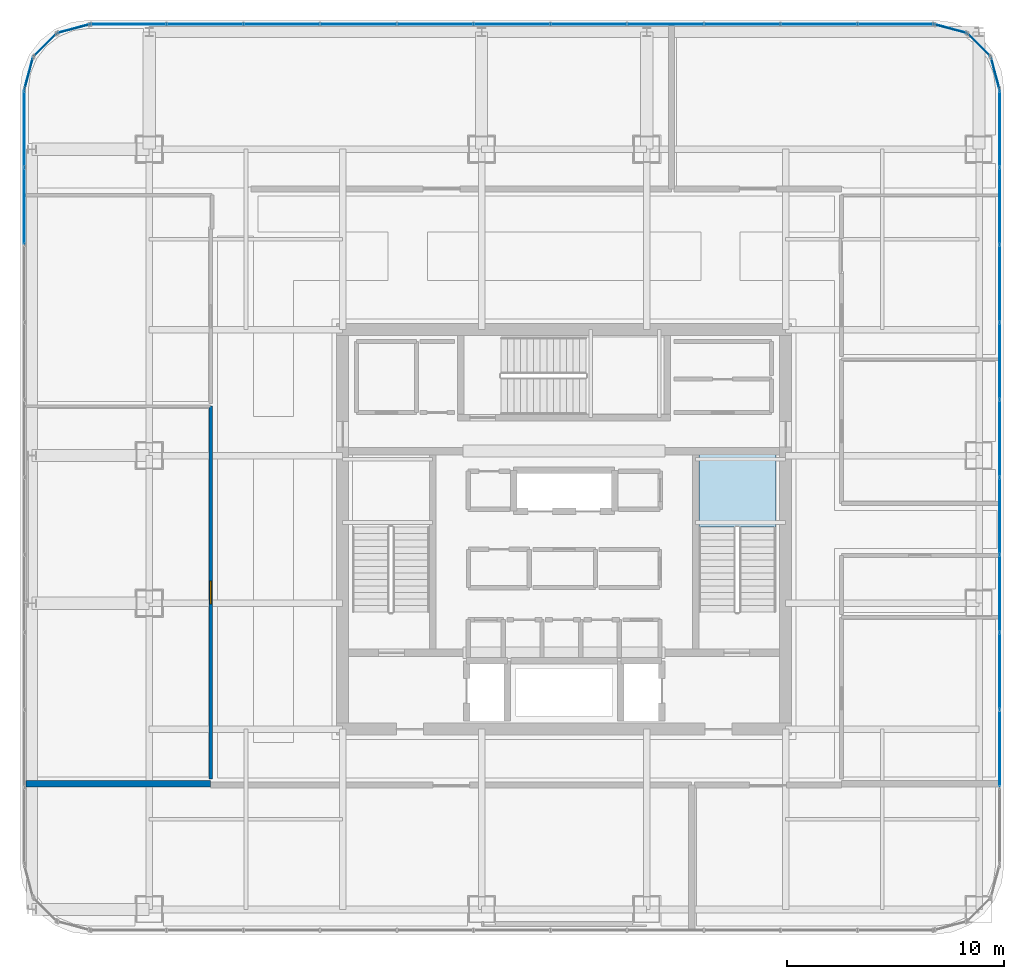
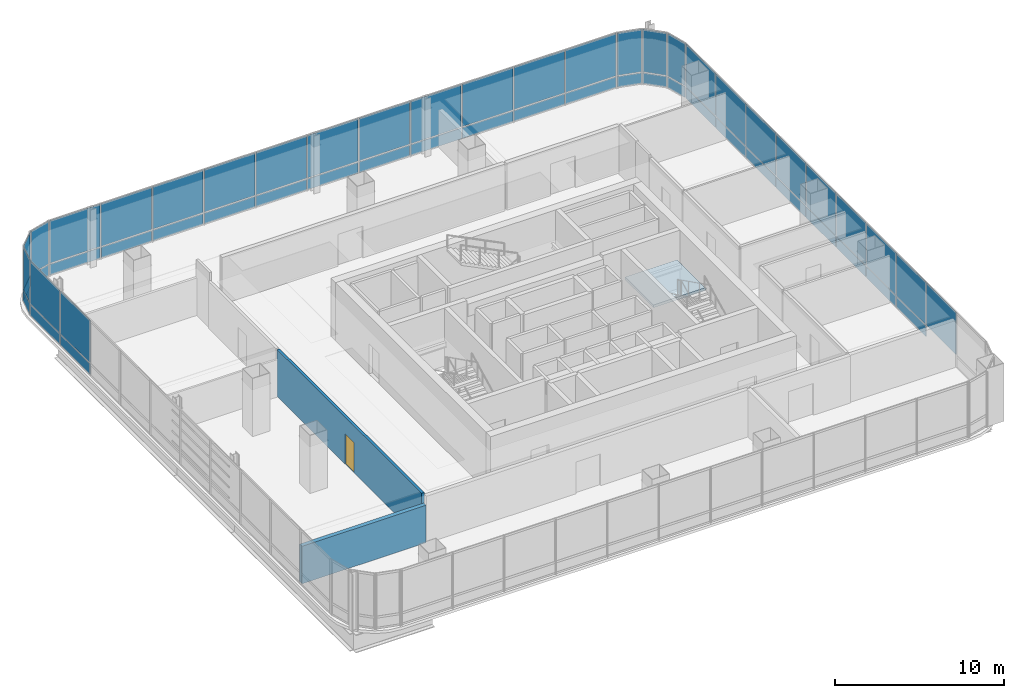
# One storey, part 33 of 42: 55 plates, 2 walls, 1 door, 1 slab, 1 opening, 10 elements without a shape of their own.
"""IFC4 building model written with IfcOpenShell, lengths in metres."""

import ifcopenshell
import ifcopenshell.guid

model = None  # the IFC model being written
_history = None  # IfcOwnerHistory: only IFC2X3 demands one
_inside = {}  # id of a spatial element -> (the spatial element, [elements in it])
_under = {}  # id of a project, library or spatial element -> (it, [spatial elements below it])
_declared = {}  # id of a project -> (the project, [libraries it declares])
_typed = {}  # id of a type object -> (the type object, [elements of that type])
_made_of = {}  # id of a material, layer set ... -> (it, [elements and type objects made of it])


def new_model(schema):
    """Start an empty IFC model of exactly this schema.

    Asked for "IFC4X3", IfcOpenShell would pick the latest addendum, in which some entities
    have other attributes; the version numbers below select the first issue.
    IFC2X3 requires an IfcOwnerHistory on every rooted entity: one is made here for all.
    """
    global model, _history
    if schema == "IFC4X3":
        model = ifcopenshell.file(schema_version=(4, 3, 0, 0))
    else:
        model = ifcopenshell.file(schema=schema)
    _inside.clear()
    _under.clear()
    _declared.clear()
    _typed.clear()
    _made_of.clear()
    _history = None
    if model.schema == "IFC2X3":
        org = make("IfcOrganization", Name="unknown")
        user = make(
            "IfcPersonAndOrganization",
            ThePerson=make("IfcPerson", FamilyName="unknown"),
            TheOrganization=org,
        )
        app = make(
            "IfcApplication",
            ApplicationDeveloper=org,
            Version="unknown",
            ApplicationFullName="unknown",
            ApplicationIdentifier="unknown",
        )
        _history = make(
            "IfcOwnerHistory",
            OwningUser=user,
            OwningApplication=app,
            ChangeAction="ADDED",
            CreationDate=0,
        )
    return model


def make(cls, **values):
    """One entity of the class cls with the attributes given. An attribute that is None is left unset."""
    return model.create_entity(
        cls, **{name: value for name, value in values.items() if value is not None}
    )


def rooted(cls, **values):
    """An entity with a GlobalId (a new one), such as an element, a storey or a relation."""
    return make(cls, GlobalId=ifcopenshell.guid.new(), OwnerHistory=_history, **values)


def si_unit(unit_type, name, prefix=None):
    """IfcSIUnit, for example si_unit("LENGTHUNIT", "METRE", prefix="MILLI")."""
    return make("IfcSIUnit", UnitType=unit_type, Prefix=prefix, Name=name)


def assignment(units):
    """IfcUnitAssignment: the units of a project."""
    return None if units is None else make("IfcUnitAssignment", Units=units)


def point(xyz):
    """IfcCartesianPoint."""
    return None if xyz is None else make("IfcCartesianPoint", Coordinates=xyz)


def direction(xyz):
    """IfcDirection."""
    return None if xyz is None else make("IfcDirection", DirectionRatios=xyz)


def frame(location, z_axis=None, x_axis=None):
    """IfcAxis2Placement3D, a coordinate frame: its origin and axes. An axis left out is left unset."""
    return make(
        "IfcAxis2Placement3D",
        Location=point(location),
        Axis=direction(z_axis),
        RefDirection=direction(x_axis),
    )


def frame_2d(location, x_axis=None):
    """IfcAxis2Placement2D, a coordinate frame in the plane: its origin and x axis."""
    return make(
        "IfcAxis2Placement2D", Location=point(location), RefDirection=direction(x_axis)
    )


def origin():
    """The frame at (0, 0, 0) with its axes left unset."""
    return frame((0.0, 0.0, 0.0))


def origin_2d():
    """The frame at (0, 0) in the plane with its x axis left unset."""
    return frame_2d((0.0, 0.0))


def place(relative_to, where):
    """IfcLocalPlacement: puts the frame where relative to a parent placement (None: the world)."""
    return make(
        "IfcLocalPlacement", PlacementRelTo=relative_to, RelativePlacement=where
    )


def context(
    kind, dimensions, precision=None, world=None, true_north=None, identifier=None
):
    """IfcGeometricRepresentationContext, for example the 3D "Model" context."""
    return make(
        "IfcGeometricRepresentationContext",
        ContextIdentifier=identifier,
        ContextType=kind,
        CoordinateSpaceDimension=dimensions,
        Precision=precision,
        WorldCoordinateSystem=world,
        TrueNorth=true_north,
    )


def subcontext(parent, identifier, kind, view, scale=None):
    """IfcGeometricRepresentationSubContext, for example "Body" below "Model"."""
    return make(
        "IfcGeometricRepresentationSubContext",
        ContextIdentifier=identifier,
        ContextType=kind,
        ParentContext=parent,
        TargetScale=scale,
        TargetView=view,
    )


def project(units=None, contexts=None):
    """IfcProject with its units and contexts."""
    return rooted(
        "IfcProject",
        Name="project",
        RepresentationContexts=contexts,
        UnitsInContext=assignment(units),
    )


def spatial(cls, under=None, at=None, **own):
    """A site, building, storey or space (cls), placed at a placement, below another one or the project."""
    s = rooted(cls, ObjectPlacement=at, **own)
    if under is not None:
        _under.setdefault(under.id(), (under, []))[1].append(s)
    return s


def polyline(points):
    """IfcPolyline through the points."""
    return make("IfcPolyline", Points=[point(p) for p in points])


def profile(cls, at=None, kind="AREA", **sizes):
    """A parametric profile (cls). Its sizes go by their IFC names, for example OverallWidth=200.0."""
    return make(cls, ProfileType=kind, Position=at, **sizes)


def rectangle(**sizes):
    """IfcRectangleProfileDef."""
    return profile("IfcRectangleProfileDef", **sizes)


def outline(outer, holes=None, kind="AREA"):
    """IfcArbitraryClosedProfileDef: a profile drawn as a closed curve; with holes, ...WithVoids."""
    if holes is None:
        return make("IfcArbitraryClosedProfileDef", ProfileType=kind, OuterCurve=outer)
    return make(
        "IfcArbitraryProfileDefWithVoids",
        ProfileType=kind,
        OuterCurve=outer,
        InnerCurves=holes,
    )


def extrude(swept, where, along, depth):
    """IfcExtrudedAreaSolid: the profile swept, set in the frame where, extruded along a direction by depth."""
    return make(
        "IfcExtrudedAreaSolid",
        SweptArea=swept,
        Position=where,
        ExtrudedDirection=direction(along),
        Depth=depth,
    )


def shape(context_of_items, identifier, shape_type, items):
    """IfcShapeRepresentation: the items that make up one representation, for example the "Body"."""
    return make(
        "IfcShapeRepresentation",
        ContextOfItems=context_of_items,
        RepresentationIdentifier=identifier,
        RepresentationType=shape_type,
        Items=items,
    )


def material(Name=None, Category=None):
    """IfcMaterial."""
    return make("IfcMaterial", Name=Name, Category=Category)


def layer(
    of_material, thickness, ventilated=None, Name=None, Category=None, Priority=None
):
    """IfcMaterialLayer: one layer of a wall or slab, of a material (None: an air gap)."""
    return make(
        "IfcMaterialLayer",
        Material=of_material,
        LayerThickness=thickness,
        IsVentilated=ventilated,
        Name=Name,
        Category=Category,
        Priority=Priority,
    )


def layer_set(layers, Name=None):
    """IfcMaterialLayerSet."""
    return make("IfcMaterialLayerSet", MaterialLayers=layers, LayerSetName=Name)


def made_of(thing, what):
    """Note that an element or type object is made of a material, layer set ...; save() writes the relation."""
    if what is not None:
        _made_of.setdefault(what.id(), (what, []))[1].append(thing)
    return thing


def type_object(cls, material=None, **own):
    """A type object (cls), such as IfcWallType, which elements share."""
    return made_of(rooted(cls, **own), material)


def element(
    cls,
    number,
    at=None,
    inside=None,
    cuts=None,
    type_object=None,
    material=None,
    context=None,
    identifier="Body",
    shape_type=None,
    held_by="IfcProductDefinitionShape",
    body=None,
    shapes=None,
    **own,
):
    """One element of the class cls, such as IfcWall. Its Tag is "e" and its number.

    at: its placement. inside: the storey or other place that contains it. cuts: it is an
    opening in that element (IfcRelVoidsElement). A single representation is given by context,
    identifier, shape_type and body (its items); several are given by shapes. held_by: the class
    of the entity that holds the representations. save() writes the other relations.
    """
    e = rooted(cls, Tag="e%d" % number, ObjectPlacement=at, **own)
    if body is not None:
        shapes = [shape(context, identifier, shape_type, body)]
    if shapes is not None:
        e.Representation = make(held_by, Representations=shapes)
    if inside is not None:
        _inside.setdefault(inside.id(), (inside, []))[1].append(e)
    if cuts is not None:
        rooted(
            "IfcRelVoidsElement", RelatingBuildingElement=cuts, RelatedOpeningElement=e
        )
    if type_object is not None:
        _typed.setdefault(type_object.id(), (type_object, []))[1].append(e)
    return made_of(e, material)


def fill(opening, filler):
    """IfcRelFillsElement: the door or window that sits in an opening."""
    return rooted(
        "IfcRelFillsElement",
        RelatingOpeningElement=opening,
        RelatedBuildingElement=filler,
    )


def aggregate(whole, parts):
    """IfcRelAggregates: a whole, such as a stair, and the parts it consists of."""
    return rooted("IfcRelAggregates", RelatingObject=whole, RelatedObjects=parts)


def save(model, path):
    """Write the relations noted so far, then the file.

    IfcRelAggregates (storeys below a building ...), IfcRelContainedInSpatialStructure (elements
    in a storey), IfcRelDefinesByType, IfcRelAssociatesMaterial and IfcRelDeclares: one each for
    every whole, place, type object, material and project.
    """
    for whole, parts in _under.values():
        aggregate(whole, parts)
    for where, things in _inside.values():
        rooted(
            "IfcRelContainedInSpatialStructure",
            RelatedElements=things,
            RelatingStructure=where,
        )
    for kind, things in _typed.values():
        rooted("IfcRelDefinesByType", RelatedObjects=things, RelatingType=kind)
    for what, things in _made_of.values():
        rooted("IfcRelAssociatesMaterial", RelatedObjects=things, RelatingMaterial=what)
    for by, libraries in _declared.values():
        rooted("IfcRelDeclares", RelatingContext=by, RelatedDefinitions=libraries)
    model.write(path)


model = new_model("IFC4")

# Units and contexts
model_context = context("Model", 3, precision=1e-05, world=origin(), true_north=direction((0.0, 1.0)))
body_context = subcontext(model_context, "Body", "Model", "MODEL_VIEW")
ifc_project = project(units=[si_unit("LENGTHUNIT", "METRE"), si_unit("AREAUNIT", "SQUARE_METRE"), si_unit("VOLUMEUNIT", "CUBIC_METRE"), si_unit("PLANEANGLEUNIT", "RADIAN"), si_unit("MASSUNIT", "GRAM", prefix="KILO")], contexts=[model_context])

# Site, building, storey
site_placement = place(None, origin())
site = spatial("IfcSite", under=ifc_project, at=site_placement, CompositionType="ELEMENT")
building_placement = place(site_placement, origin())
building = spatial("IfcBuilding", under=site, at=building_placement, Name="Punatoya Terracotta Tower", CompositionType="ELEMENT")
storey_placement = place(building_placement, frame((0.0, 0.0, 304.800048828125)))
storey = spatial("IfcBuildingStorey", under=building, at=storey_placement, Name="L72", CompositionType="ELEMENT", Elevation=304.800048828125)

# Curtain wall, plates
ifc_material_1 = material(Name="Aluminium 6063-T6 + Double Low-E Glass", Category="aluminium")
curtain_wall_type = type_object("IfcCurtainWallType", Name="CW-M3", PredefinedType="NOTDEFINED", material=ifc_material_1)
curtain_wall_1_placement = place(storey_placement, origin())
curtain_wall_1 = element("IfcCurtainWall", 1, at=curtain_wall_1_placement, inside=storey, type_object=curtain_wall_type, Name="L72 Curtain Wall CW-L72-E05-1", PredefinedType="NOTDEFINED")
ifc_material_2 = material(Name="Double Low-E Acoustic Vision Glass", Category="glass")
ifc_layer_1 = layer(ifc_material_2, 0.031982421875)
ifc_layer_set_1 = layer_set([ifc_layer_1], Name="Double Low-E Acoustic Vision Glass")
plate_type_1 = type_object("IfcPlateType", Name="PLT-GLZ-32", PredefinedType="CURTAIN_PANEL", material=ifc_layer_set_1)
plate_1_placement = place(storey_placement, frame((20.050048828125, -10.085693359375, 0.89013671875), z_axis=(0.0, 0.0, 1.0), x_axis=(0.0, 1.0, 0.0)))
plate_1 = element("IfcPlate", 2, at=plate_1_placement, type_object=plate_type_1, Name="CW-L72-E05-1 Vision Glass Panel 2", PredefinedType="CURTAIN_PANEL", context=body_context, shape_type="SweptSolid", body=[
    extrude(rectangle(XDim=3.482421875, YDim=0.031982421875, at=origin_2d()), origin(), (0.0, 0.0, 1.0), 3.070068359375),
])
plate_2_placement = place(storey_placement, frame((20.050048828125, -6.518310546875, 0.89013671875), z_axis=(0.0, 0.0, 1.0), x_axis=(0.0, 1.0, 0.0)))
plate_2 = element("IfcPlate", 3, at=plate_2_placement, type_object=plate_type_1, Name="CW-L72-E05-1 Vision Glass Panel 3", PredefinedType="CURTAIN_PANEL", context=body_context, shape_type="SweptSolid", body=[
    extrude(rectangle(XDim=3.482421875, YDim=0.031982421875, at=origin_2d()), origin(), (0.0, 0.0, 1.0), 3.070068359375),
])
plate_3_placement = place(storey_placement, frame((20.050048828125, -2.951171875, 0.89013671875), z_axis=(0.0, 0.0, 1.0), x_axis=(0.0, 1.0, 0.0)))
plate_3 = element("IfcPlate", 4, at=plate_3_placement, type_object=plate_type_1, Name="CW-L72-E05-1 Vision Glass Panel 4", PredefinedType="CURTAIN_PANEL", context=body_context, shape_type="SweptSolid", body=[
    extrude(rectangle(XDim=3.482421875, YDim=0.031982421875, at=origin_2d()), origin(), (0.0, 0.0, 1.0), 3.070068359375),
])
plate_4_placement = place(storey_placement, frame((20.050048828125, 0.6162109375, 0.89013671875), z_axis=(0.0, 0.0, 1.0), x_axis=(0.0, 1.0, 0.0)))
plate_4 = element("IfcPlate", 5, at=plate_4_placement, type_object=plate_type_1, Name="CW-L72-E05-1 Vision Glass Panel 5", PredefinedType="CURTAIN_PANEL", context=body_context, shape_type="SweptSolid", body=[
    extrude(rectangle(XDim=3.482421875, YDim=0.031982421875, at=origin_2d()), origin(), (0.0, 0.0, 1.0), 3.070068359375),
])
plate_5_placement = place(storey_placement, frame((20.050048828125, 4.18359375, 0.89013671875), z_axis=(0.0, 0.0, 1.0), x_axis=(0.0, 1.0, 0.0)))
plate_5 = element("IfcPlate", 6, at=plate_5_placement, type_object=plate_type_1, Name="CW-L72-E05-1 Vision Glass Panel 6", PredefinedType="CURTAIN_PANEL", context=body_context, shape_type="SweptSolid", body=[
    extrude(rectangle(XDim=3.482421875, YDim=0.031982421875, at=origin_2d()), origin(), (0.0, 0.0, 1.0), 3.070068359375),
])
plate_6_placement = place(storey_placement, frame((20.050048828125, 7.751220703125, 0.89013671875), z_axis=(0.0, 0.0, 1.0), x_axis=(0.0, 1.0, 0.0)))
plate_6 = element("IfcPlate", 7, at=plate_6_placement, type_object=plate_type_1, Name="CW-L72-E05-1 Vision Glass Panel 7", PredefinedType="CURTAIN_PANEL", context=body_context, shape_type="SweptSolid", body=[
    extrude(rectangle(XDim=3.482421875, YDim=0.031982421875, at=origin_2d()), origin(), (0.0, 0.0, 1.0), 3.070068359375),
])
plate_7_placement = place(storey_placement, frame((20.050048828125, 11.318359375, 0.89013671875), z_axis=(0.0, 0.0, 1.0), x_axis=(0.0, 1.0, 0.0)))
plate_7 = element("IfcPlate", 8, at=plate_7_placement, type_object=plate_type_1, Name="CW-L72-E05-1 Vision Glass Panel 8", PredefinedType="CURTAIN_PANEL", context=body_context, shape_type="SweptSolid", body=[
    extrude(rectangle(XDim=3.482421875, YDim=0.031982421875, at=origin_2d()), origin(), (0.0, 0.0, 1.0), 3.070068359375),
])
plate_8_placement = place(storey_placement, frame((20.050048828125, 14.8857421875, 0.89013671875), z_axis=(0.0, 0.0, 1.0), x_axis=(0.0, 1.0, 0.0)))
plate_8 = element("IfcPlate", 9, at=plate_8_placement, type_object=plate_type_1, Name="CW-L72-E05-1 Vision Glass Panel 9", PredefinedType="CURTAIN_PANEL", context=body_context, shape_type="SweptSolid", body=[
    extrude(rectangle(XDim=3.482421875, YDim=0.031982421875, at=origin_2d()), origin(), (0.0, 0.0, 1.0), 3.070068359375),
])
plate_9_placement = place(storey_placement, frame((20.050048828125, 18.453125, 0.89013671875), z_axis=(0.0, 0.0, 1.0), x_axis=(0.0, 1.0, 0.0)))
plate_9 = element("IfcPlate", 10, at=plate_9_placement, type_object=plate_type_1, Name="CW-L72-E05-1 Vision Glass Panel 10", PredefinedType="CURTAIN_PANEL", context=body_context, shape_type="SweptSolid", body=[
    extrude(rectangle(XDim=3.482421875, YDim=0.031982421875, at=origin_2d()), origin(), (0.0, 0.0, 1.0), 3.070068359375),
])

# Curtain wall, plate
curtain_wall_2_placement = place(storey_placement, origin())
curtain_wall_2 = element("IfcCurtainWall", 11, at=curtain_wall_2_placement, inside=storey, type_object=curtain_wall_type, Name="L72 Curtain Wall CW-L72-CRN06", PredefinedType="NOTDEFINED")
plate_10_placement = place(storey_placement, frame((19.848388671875, 20.992919921875, 0.89013671875), z_axis=(0.0, 0.0, 1.0), x_axis=(-0.257741620719, 0.966213877436, 0.0)))
plate_10 = element("IfcPlate", 12, at=plate_10_placement, type_object=plate_type_1, Name="CW-L72-CRN06 Vision Glass Panel 1", PredefinedType="CURTAIN_PANEL", context=body_context, shape_type="SweptSolid", body=[
    extrude(rectangle(XDim=1.47998046875, YDim=0.031982421875, at=origin_2d()), origin(), (0.0, 0.0, 1.0), 3.070068359375),
])

curtain_wall_3_placement = place(storey_placement, origin())
curtain_wall_3 = element("IfcCurtainWall", 13, at=curtain_wall_3_placement, inside=storey, type_object=curtain_wall_type, Name="L72 Curtain Wall CW-L72-CRN07", PredefinedType="NOTDEFINED")
plate_11_placement = place(storey_placement, frame((19.097900390625, 22.2978515625, 0.89013671875), z_axis=(0.0, 0.0, 1.0), x_axis=(-0.707106781187, 0.707106781187, 0.0)))
plate_11 = element("IfcPlate", 14, at=plate_11_placement, type_object=plate_type_1, Name="CW-L72-CRN07 Vision Glass Panel 1", PredefinedType="CURTAIN_PANEL", context=body_context, shape_type="SweptSolid", body=[
    extrude(rectangle(XDim=1.467041015625, YDim=0.031982421875, at=origin_2d()), origin(), (0.0, 0.0, 1.0), 3.070068359375),
])

curtain_wall_4_placement = place(storey_placement, origin())
curtain_wall_4 = element("IfcCurtainWall", 15, at=curtain_wall_4_placement, inside=storey, type_object=curtain_wall_type, Name="L72 Curtain Wall CW-L72-CRN08", PredefinedType="NOTDEFINED")
plate_12_placement = place(storey_placement, frame((17.79296875, 23.04833984375, 0.89013671875), z_axis=(0.0, 0.0, 1.0), x_axis=(-0.966213877436, 0.257741620719, 0.0)))
plate_12 = element("IfcPlate", 16, at=plate_12_placement, type_object=plate_type_1, Name="CW-L72-CRN08 Vision Glass Panel 1", PredefinedType="CURTAIN_PANEL", context=body_context, shape_type="SweptSolid", body=[
    extrude(rectangle(XDim=1.47998046875, YDim=0.031982421875, at=origin_2d()), origin(), (0.0, 0.0, 1.0), 3.070068359375),
])

# Curtain wall, plates
curtain_wall_5_placement = place(storey_placement, origin())
curtain_wall_5 = element("IfcCurtainWall", 17, at=curtain_wall_5_placement, inside=storey, type_object=curtain_wall_type, Name="L72 Curtain Wall CW-L72-N09-1", PredefinedType="NOTDEFINED")
plate_13_placement = place(storey_placement, frame((15.27001953125, 23.25, 0.89013671875), z_axis=(0.0, 0.0, 1.0), x_axis=(-1.0, 0.0, 0.0)))
plate_13 = element("IfcPlate", 18, at=plate_13_placement, type_object=plate_type_1, Name="CW-L72-N09-1 Vision Glass Panel 1", PredefinedType="CURTAIN_PANEL", context=body_context, shape_type="SweptSolid", body=[
    extrude(rectangle(XDim=3.448974609375, YDim=0.031982421875, at=origin_2d()), origin(), (0.0, 0.0, 1.0), 3.070068359375),
])
plate_14_placement = place(storey_placement, frame((11.73583984375, 23.25, 0.89013671875), z_axis=(0.0, 0.0, 1.0), x_axis=(-1.0, 0.0, 0.0)))
plate_14 = element("IfcPlate", 19, at=plate_14_placement, type_object=plate_type_1, Name="CW-L72-N09-1 Vision Glass Panel 2", PredefinedType="CURTAIN_PANEL", context=body_context, shape_type="SweptSolid", body=[
    extrude(rectangle(XDim=3.448974609375, YDim=0.031982421875, at=origin_2d()), origin(), (0.0, 0.0, 1.0), 3.070068359375),
])
plate_15_placement = place(storey_placement, frame((8.201904296875, 23.25, 0.89013671875), z_axis=(0.0, 0.0, 1.0), x_axis=(-1.0, 0.0, 0.0)))
plate_15 = element("IfcPlate", 20, at=plate_15_placement, type_object=plate_type_1, Name="CW-L72-N09-1 Vision Glass Panel 3", PredefinedType="CURTAIN_PANEL", context=body_context, shape_type="SweptSolid", body=[
    extrude(rectangle(XDim=3.448974609375, YDim=0.031982421875, at=origin_2d()), origin(), (0.0, 0.0, 1.0), 3.070068359375),
])
plate_16_placement = place(storey_placement, frame((4.66796875, 23.25, 0.89013671875), z_axis=(0.0, 0.0, 1.0), x_axis=(-1.0, 0.0, 0.0)))
plate_16 = element("IfcPlate", 21, at=plate_16_placement, type_object=plate_type_1, Name="CW-L72-N09-1 Vision Glass Panel 4", PredefinedType="CURTAIN_PANEL", context=body_context, shape_type="SweptSolid", body=[
    extrude(rectangle(XDim=3.448974609375, YDim=0.031982421875, at=origin_2d()), origin(), (0.0, 0.0, 1.0), 3.070068359375),
])
plate_17_placement = place(storey_placement, frame((1.134033203125, 23.25, 0.89013671875), z_axis=(0.0, 0.0, 1.0), x_axis=(-1.0, 0.0, 0.0)))
plate_17 = element("IfcPlate", 22, at=plate_17_placement, type_object=plate_type_1, Name="CW-L72-N09-1 Vision Glass Panel 5", PredefinedType="CURTAIN_PANEL", context=body_context, shape_type="SweptSolid", body=[
    extrude(rectangle(XDim=3.448974609375, YDim=0.031982421875, at=origin_2d()), origin(), (0.0, 0.0, 1.0), 3.070068359375),
])
plate_18_placement = place(storey_placement, frame((-2.39990234375, 23.25, 0.89013671875), z_axis=(0.0, 0.0, 1.0), x_axis=(-1.0, 0.0, 0.0)))
plate_18 = element("IfcPlate", 23, at=plate_18_placement, type_object=plate_type_1, Name="CW-L72-N09-1 Vision Glass Panel 6", PredefinedType="CURTAIN_PANEL", context=body_context, shape_type="SweptSolid", body=[
    extrude(rectangle(XDim=3.448974609375, YDim=0.031982421875, at=origin_2d()), origin(), (0.0, 0.0, 1.0), 3.070068359375),
])
plate_19_placement = place(storey_placement, frame((-5.93408203125, 23.25, 0.89013671875), z_axis=(0.0, 0.0, 1.0), x_axis=(-1.0, 0.0, 0.0)))
plate_19 = element("IfcPlate", 24, at=plate_19_placement, type_object=plate_type_1, Name="CW-L72-N09-1 Vision Glass Panel 7", PredefinedType="CURTAIN_PANEL", context=body_context, shape_type="SweptSolid", body=[
    extrude(rectangle(XDim=3.448974609375, YDim=0.031982421875, at=origin_2d()), origin(), (0.0, 0.0, 1.0), 3.070068359375),
])
plate_20_placement = place(storey_placement, frame((-9.468017578125, 23.25, 0.89013671875), z_axis=(0.0, 0.0, 1.0), x_axis=(-1.0, 0.0, 0.0)))
plate_20 = element("IfcPlate", 25, at=plate_20_placement, type_object=plate_type_1, Name="CW-L72-N09-1 Vision Glass Panel 8", PredefinedType="CURTAIN_PANEL", context=body_context, shape_type="SweptSolid", body=[
    extrude(rectangle(XDim=3.448974609375, YDim=0.031982421875, at=origin_2d()), origin(), (0.0, 0.0, 1.0), 3.070068359375),
])
plate_21_placement = place(storey_placement, frame((-13.001953125, 23.25, 0.89013671875), z_axis=(0.0, 0.0, 1.0), x_axis=(-1.0, 0.0, 0.0)))
plate_21 = element("IfcPlate", 26, at=plate_21_placement, type_object=plate_type_1, Name="CW-L72-N09-1 Vision Glass Panel 9", PredefinedType="CURTAIN_PANEL", context=body_context, shape_type="SweptSolid", body=[
    extrude(rectangle(XDim=3.448974609375, YDim=0.031982421875, at=origin_2d()), origin(), (0.0, 0.0, 1.0), 3.070068359375),
])
plate_22_placement = place(storey_placement, frame((-16.535888671875, 23.25, 0.89013671875), z_axis=(0.0, 0.0, 1.0), x_axis=(-1.0, 0.0, 0.0)))
plate_22 = element("IfcPlate", 27, at=plate_22_placement, type_object=plate_type_1, Name="CW-L72-N09-1 Vision Glass Panel 10", PredefinedType="CURTAIN_PANEL", context=body_context, shape_type="SweptSolid", body=[
    extrude(rectangle(XDim=3.448974609375, YDim=0.031982421875, at=origin_2d()), origin(), (0.0, 0.0, 1.0), 3.070068359375),
])
plate_23_placement = place(storey_placement, frame((-20.06982421875, 23.25, 0.89013671875), z_axis=(0.0, 0.0, 1.0), x_axis=(-1.0, 0.0, 0.0)))
plate_23 = element("IfcPlate", 28, at=plate_23_placement, type_object=plate_type_1, Name="CW-L72-N09-1 Vision Glass Panel 11", PredefinedType="CURTAIN_PANEL", context=body_context, shape_type="SweptSolid", body=[
    extrude(rectangle(XDim=3.448974609375, YDim=0.031982421875, at=origin_2d()), origin(), (0.0, 0.0, 1.0), 3.070068359375),
])

# Curtain wall, plate
curtain_wall_6_placement = place(storey_placement, origin())
curtain_wall_6 = element("IfcCurtainWall", 29, at=curtain_wall_6_placement, inside=storey, type_object=curtain_wall_type, Name="L72 Curtain Wall CW-L72-CRN10", PredefinedType="NOTDEFINED")
plate_24_placement = place(storey_placement, frame((-22.593017578125, 23.04833984375, 0.89013671875), z_axis=(0.0, 0.0, 1.0), x_axis=(-0.966213877436, -0.257741620719, 0.0)))
plate_24 = element("IfcPlate", 30, at=plate_24_placement, type_object=plate_type_1, Name="CW-L72-CRN10 Vision Glass Panel 1", PredefinedType="CURTAIN_PANEL", context=body_context, shape_type="SweptSolid", body=[
    extrude(rectangle(XDim=1.47998046875, YDim=0.031982421875, at=origin_2d()), origin(), (0.0, 0.0, 1.0), 3.070068359375),
])

curtain_wall_7_placement = place(storey_placement, origin())
curtain_wall_7 = element("IfcCurtainWall", 31, at=curtain_wall_7_placement, inside=storey, type_object=curtain_wall_type, Name="L72 Curtain Wall CW-L72-CRN11", PredefinedType="NOTDEFINED")
plate_25_placement = place(storey_placement, frame((-23.89794921875, 22.2978515625, 0.89013671875), z_axis=(0.0, 0.0, 1.0), x_axis=(-0.707106781187, -0.707106781187, 0.0)))
plate_25 = element("IfcPlate", 32, at=plate_25_placement, type_object=plate_type_1, Name="CW-L72-CRN11 Vision Glass Panel 1", PredefinedType="CURTAIN_PANEL", context=body_context, shape_type="SweptSolid", body=[
    extrude(rectangle(XDim=1.467041015625, YDim=0.031982421875, at=origin_2d()), origin(), (0.0, 0.0, 1.0), 3.070068359375),
])

curtain_wall_8_placement = place(storey_placement, origin())
curtain_wall_8 = element("IfcCurtainWall", 33, at=curtain_wall_8_placement, inside=storey, type_object=curtain_wall_type, Name="L72 Curtain Wall CW-L72-CRN12", PredefinedType="NOTDEFINED")
plate_26_placement = place(storey_placement, frame((-24.648193359375, 20.992919921875, 0.89013671875), z_axis=(0.0, 0.0, 1.0), x_axis=(-0.257741620719, -0.966213877436, 0.0)))
plate_26 = element("IfcPlate", 34, at=plate_26_placement, type_object=plate_type_1, Name="CW-L72-CRN12 Vision Glass Panel 1", PredefinedType="CURTAIN_PANEL", context=body_context, shape_type="SweptSolid", body=[
    extrude(rectangle(XDim=1.47998046875, YDim=0.031982421875, at=origin_2d()), origin(), (0.0, 0.0, 1.0), 3.070068359375),
])

# Curtain wall, plates
curtain_wall_9_placement = place(storey_placement, origin())
curtain_wall_9 = element("IfcCurtainWall", 35, at=curtain_wall_9_placement, inside=storey, type_object=curtain_wall_type, Name="L72 Curtain Wall CW-L72-W13-1", PredefinedType="NOTDEFINED")
plate_27_placement = place(storey_placement, frame((-24.85009765625, 18.453125, 0.89013671875), z_axis=(0.0, 0.0, 1.0), x_axis=(0.0, -1.0, 0.0)))
plate_27 = element("IfcPlate", 36, at=plate_27_placement, type_object=plate_type_1, Name="CW-L72-W13-1 Vision Glass Panel 1", PredefinedType="CURTAIN_PANEL", context=body_context, shape_type="SweptSolid", body=[
    extrude(rectangle(XDim=3.482421875, YDim=0.031982421875, at=origin_2d()), origin(), (0.0, 0.0, 1.0), 3.070068359375),
])
plate_28_placement = place(storey_placement, frame((-24.85009765625, 14.8857421875, 0.89013671875), z_axis=(0.0, 0.0, 1.0), x_axis=(0.0, -1.0, 0.0)))
plate_28 = element("IfcPlate", 37, at=plate_28_placement, type_object=plate_type_1, Name="CW-L72-W13-1 Vision Glass Panel 2", PredefinedType="CURTAIN_PANEL", context=body_context, shape_type="SweptSolid", body=[
    extrude(rectangle(XDim=3.482421875, YDim=0.031982421875, at=origin_2d()), origin(), (0.0, 0.0, 1.0), 3.070068359375),
])

# Plate
ifc_material_3 = material(Name="Insulated Terracotta-Backed Spandrel Panel", Category="masonry")
ifc_layer_2 = layer(ifc_material_3, 0.044921875)
ifc_layer_set_2 = layer_set([ifc_layer_2], Name="Insulated Terracotta-Backed Spandrel Panel")
plate_type_2 = type_object("IfcPlateType", Name="PLT-SPN-45", PredefinedType="CURTAIN_PANEL", material=ifc_layer_set_2)
plate_29_placement = place(storey_placement, frame((20.050048828125, -6.518310546875, 0.0400390625), z_axis=(0.0, 0.0, 1.0), x_axis=(0.0, 1.0, 0.0)))
plate_29 = element("IfcPlate", 38, at=plate_29_placement, type_object=plate_type_2, Name="CW-L72-E05-1 Terracotta Spandrel Panel 3", PredefinedType="CURTAIN_PANEL", context=body_context, shape_type="SweptSolid", body=[
    extrude(rectangle(XDim=3.482421875, YDim=0.044921875, at=origin_2d()), origin(), (0.0, 0.0, 1.0), 0.77490234375),
])

plate_30_placement = place(storey_placement, frame((20.050048828125, -2.951171875, 0.0400390625), z_axis=(0.0, 0.0, 1.0), x_axis=(0.0, 1.0, 0.0)))
plate_30 = element("IfcPlate", 39, at=plate_30_placement, type_object=plate_type_2, Name="CW-L72-E05-1 Terracotta Spandrel Panel 4", PredefinedType="CURTAIN_PANEL", context=body_context, shape_type="SweptSolid", body=[
    extrude(rectangle(XDim=3.482421875, YDim=0.044921875, at=origin_2d()), origin(), (0.0, 0.0, 1.0), 0.77490234375),
])

plate_31_placement = place(storey_placement, frame((20.050048828125, 0.6162109375, 0.0400390625), z_axis=(0.0, 0.0, 1.0), x_axis=(0.0, 1.0, 0.0)))
plate_31 = element("IfcPlate", 40, at=plate_31_placement, type_object=plate_type_2, Name="CW-L72-E05-1 Terracotta Spandrel Panel 5", PredefinedType="CURTAIN_PANEL", context=body_context, shape_type="SweptSolid", body=[
    extrude(rectangle(XDim=3.482421875, YDim=0.044921875, at=origin_2d()), origin(), (0.0, 0.0, 1.0), 0.77490234375),
])

plate_32_placement = place(storey_placement, frame((20.050048828125, 4.18359375, 0.0400390625), z_axis=(0.0, 0.0, 1.0), x_axis=(0.0, 1.0, 0.0)))
plate_32 = element("IfcPlate", 41, at=plate_32_placement, type_object=plate_type_2, Name="CW-L72-E05-1 Terracotta Spandrel Panel 6", PredefinedType="CURTAIN_PANEL", context=body_context, shape_type="SweptSolid", body=[
    extrude(rectangle(XDim=3.482421875, YDim=0.044921875, at=origin_2d()), origin(), (0.0, 0.0, 1.0), 0.77490234375),
])

plate_33_placement = place(storey_placement, frame((20.050048828125, 7.751220703125, 0.0400390625), z_axis=(0.0, 0.0, 1.0), x_axis=(0.0, 1.0, 0.0)))
plate_33 = element("IfcPlate", 42, at=plate_33_placement, type_object=plate_type_2, Name="CW-L72-E05-1 Terracotta Spandrel Panel 7", PredefinedType="CURTAIN_PANEL", context=body_context, shape_type="SweptSolid", body=[
    extrude(rectangle(XDim=3.482421875, YDim=0.044921875, at=origin_2d()), origin(), (0.0, 0.0, 1.0), 0.77490234375),
])

plate_34_placement = place(storey_placement, frame((20.050048828125, 11.318359375, 0.0400390625), z_axis=(0.0, 0.0, 1.0), x_axis=(0.0, 1.0, 0.0)))
plate_34 = element("IfcPlate", 43, at=plate_34_placement, type_object=plate_type_2, Name="CW-L72-E05-1 Terracotta Spandrel Panel 8", PredefinedType="CURTAIN_PANEL", context=body_context, shape_type="SweptSolid", body=[
    extrude(rectangle(XDim=3.482421875, YDim=0.044921875, at=origin_2d()), origin(), (0.0, 0.0, 1.0), 0.77490234375),
])

plate_35_placement = place(storey_placement, frame((20.050048828125, 14.8857421875, 0.0400390625), z_axis=(0.0, 0.0, 1.0), x_axis=(0.0, 1.0, 0.0)))
plate_35 = element("IfcPlate", 44, at=plate_35_placement, type_object=plate_type_2, Name="CW-L72-E05-1 Terracotta Spandrel Panel 9", PredefinedType="CURTAIN_PANEL", context=body_context, shape_type="SweptSolid", body=[
    extrude(rectangle(XDim=3.482421875, YDim=0.044921875, at=origin_2d()), origin(), (0.0, 0.0, 1.0), 0.77490234375),
])

plate_36_placement = place(storey_placement, frame((20.050048828125, 18.453125, 0.0400390625), z_axis=(0.0, 0.0, 1.0), x_axis=(0.0, 1.0, 0.0)))
plate_36 = element("IfcPlate", 45, at=plate_36_placement, type_object=plate_type_2, Name="CW-L72-E05-1 Terracotta Spandrel Panel 10", PredefinedType="CURTAIN_PANEL", context=body_context, shape_type="SweptSolid", body=[
    extrude(rectangle(XDim=3.482421875, YDim=0.044921875, at=origin_2d()), origin(), (0.0, 0.0, 1.0), 0.77490234375),
])

aggregate(curtain_wall_1, [plate_1, plate_29, plate_2, plate_30, plate_3, plate_31, plate_4, plate_32, plate_5, plate_33, plate_6, plate_34, plate_7, plate_35, plate_8, plate_36, plate_9])

plate_37_placement = place(storey_placement, frame((19.848388671875, 20.992919921875, 0.0400390625), z_axis=(0.0, 0.0, 1.0), x_axis=(-0.257741620719, 0.966213877436, 0.0)))
plate_37 = element("IfcPlate", 46, at=plate_37_placement, type_object=plate_type_2, Name="CW-L72-CRN06 Terracotta Spandrel Panel 1", PredefinedType="CURTAIN_PANEL", context=body_context, shape_type="SweptSolid", body=[
    extrude(rectangle(XDim=1.47998046875, YDim=0.044921875, at=origin_2d()), origin(), (0.0, 0.0, 1.0), 0.77490234375),
])

aggregate(curtain_wall_2, [plate_37, plate_10])

plate_38_placement = place(storey_placement, frame((19.097900390625, 22.2978515625, 0.0400390625), z_axis=(0.0, 0.0, 1.0), x_axis=(-0.707106781187, 0.707106781187, 0.0)))
plate_38 = element("IfcPlate", 47, at=plate_38_placement, type_object=plate_type_2, Name="CW-L72-CRN07 Terracotta Spandrel Panel 1", PredefinedType="CURTAIN_PANEL", context=body_context, shape_type="SweptSolid", body=[
    extrude(rectangle(XDim=1.467041015625, YDim=0.044921875, at=origin_2d()), origin(), (0.0, 0.0, 1.0), 0.77490234375),
])

aggregate(curtain_wall_3, [plate_38, plate_11])

plate_39_placement = place(storey_placement, frame((17.79296875, 23.04833984375, 0.0400390625), z_axis=(0.0, 0.0, 1.0), x_axis=(-0.966213877436, 0.257741620719, 0.0)))
plate_39 = element("IfcPlate", 48, at=plate_39_placement, type_object=plate_type_2, Name="CW-L72-CRN08 Terracotta Spandrel Panel 1", PredefinedType="CURTAIN_PANEL", context=body_context, shape_type="SweptSolid", body=[
    extrude(rectangle(XDim=1.47998046875, YDim=0.044921875, at=origin_2d()), origin(), (0.0, 0.0, 1.0), 0.77490234375),
])

aggregate(curtain_wall_4, [plate_39, plate_12])

plate_40_placement = place(storey_placement, frame((15.27001953125, 23.25, 0.0400390625), z_axis=(0.0, 0.0, 1.0), x_axis=(-1.0, 0.0, 0.0)))
plate_40 = element("IfcPlate", 49, at=plate_40_placement, type_object=plate_type_2, Name="CW-L72-N09-1 Terracotta Spandrel Panel 1", PredefinedType="CURTAIN_PANEL", context=body_context, shape_type="SweptSolid", body=[
    extrude(rectangle(XDim=3.448974609375, YDim=0.044921875, at=origin_2d()), origin(), (0.0, 0.0, 1.0), 0.77490234375),
])

plate_41_placement = place(storey_placement, frame((11.73583984375, 23.25, 0.0400390625), z_axis=(0.0, 0.0, 1.0), x_axis=(-1.0, 0.0, 0.0)))
plate_41 = element("IfcPlate", 50, at=plate_41_placement, type_object=plate_type_2, Name="CW-L72-N09-1 Terracotta Spandrel Panel 2", PredefinedType="CURTAIN_PANEL", context=body_context, shape_type="SweptSolid", body=[
    extrude(rectangle(XDim=3.448974609375, YDim=0.044921875, at=origin_2d()), origin(), (0.0, 0.0, 1.0), 0.77490234375),
])

plate_42_placement = place(storey_placement, frame((8.201904296875, 23.25, 0.0400390625), z_axis=(0.0, 0.0, 1.0), x_axis=(-1.0, 0.0, 0.0)))
plate_42 = element("IfcPlate", 51, at=plate_42_placement, type_object=plate_type_2, Name="CW-L72-N09-1 Terracotta Spandrel Panel 3", PredefinedType="CURTAIN_PANEL", context=body_context, shape_type="SweptSolid", body=[
    extrude(rectangle(XDim=3.448974609375, YDim=0.044921875, at=origin_2d()), origin(), (0.0, 0.0, 1.0), 0.77490234375),
])

plate_43_placement = place(storey_placement, frame((4.66796875, 23.25, 0.0400390625), z_axis=(0.0, 0.0, 1.0), x_axis=(-1.0, 0.0, 0.0)))
plate_43 = element("IfcPlate", 52, at=plate_43_placement, type_object=plate_type_2, Name="CW-L72-N09-1 Terracotta Spandrel Panel 4", PredefinedType="CURTAIN_PANEL", context=body_context, shape_type="SweptSolid", body=[
    extrude(rectangle(XDim=3.448974609375, YDim=0.044921875, at=origin_2d()), origin(), (0.0, 0.0, 1.0), 0.77490234375),
])

plate_44_placement = place(storey_placement, frame((1.134033203125, 23.25, 0.0400390625), z_axis=(0.0, 0.0, 1.0), x_axis=(-1.0, 0.0, 0.0)))
plate_44 = element("IfcPlate", 53, at=plate_44_placement, type_object=plate_type_2, Name="CW-L72-N09-1 Terracotta Spandrel Panel 5", PredefinedType="CURTAIN_PANEL", context=body_context, shape_type="SweptSolid", body=[
    extrude(rectangle(XDim=3.448974609375, YDim=0.044921875, at=origin_2d()), origin(), (0.0, 0.0, 1.0), 0.77490234375),
])

plate_45_placement = place(storey_placement, frame((-2.39990234375, 23.25, 0.0400390625), z_axis=(0.0, 0.0, 1.0), x_axis=(-1.0, 0.0, 0.0)))
plate_45 = element("IfcPlate", 54, at=plate_45_placement, type_object=plate_type_2, Name="CW-L72-N09-1 Terracotta Spandrel Panel 6", PredefinedType="CURTAIN_PANEL", context=body_context, shape_type="SweptSolid", body=[
    extrude(rectangle(XDim=3.448974609375, YDim=0.044921875, at=origin_2d()), origin(), (0.0, 0.0, 1.0), 0.77490234375),
])

plate_46_placement = place(storey_placement, frame((-5.93408203125, 23.25, 0.0400390625), z_axis=(0.0, 0.0, 1.0), x_axis=(-1.0, 0.0, 0.0)))
plate_46 = element("IfcPlate", 55, at=plate_46_placement, type_object=plate_type_2, Name="CW-L72-N09-1 Terracotta Spandrel Panel 7", PredefinedType="CURTAIN_PANEL", context=body_context, shape_type="SweptSolid", body=[
    extrude(rectangle(XDim=3.448974609375, YDim=0.044921875, at=origin_2d()), origin(), (0.0, 0.0, 1.0), 0.77490234375),
])

plate_47_placement = place(storey_placement, frame((-9.468017578125, 23.25, 0.0400390625), z_axis=(0.0, 0.0, 1.0), x_axis=(-1.0, 0.0, 0.0)))
plate_47 = element("IfcPlate", 56, at=plate_47_placement, type_object=plate_type_2, Name="CW-L72-N09-1 Terracotta Spandrel Panel 8", PredefinedType="CURTAIN_PANEL", context=body_context, shape_type="SweptSolid", body=[
    extrude(rectangle(XDim=3.448974609375, YDim=0.044921875, at=origin_2d()), origin(), (0.0, 0.0, 1.0), 0.77490234375),
])

plate_48_placement = place(storey_placement, frame((-13.001953125, 23.25, 0.0400390625), z_axis=(0.0, 0.0, 1.0), x_axis=(-1.0, 0.0, 0.0)))
plate_48 = element("IfcPlate", 57, at=plate_48_placement, type_object=plate_type_2, Name="CW-L72-N09-1 Terracotta Spandrel Panel 9", PredefinedType="CURTAIN_PANEL", context=body_context, shape_type="SweptSolid", body=[
    extrude(rectangle(XDim=3.448974609375, YDim=0.044921875, at=origin_2d()), origin(), (0.0, 0.0, 1.0), 0.77490234375),
])

plate_49_placement = place(storey_placement, frame((-16.535888671875, 23.25, 0.0400390625), z_axis=(0.0, 0.0, 1.0), x_axis=(-1.0, 0.0, 0.0)))
plate_49 = element("IfcPlate", 58, at=plate_49_placement, type_object=plate_type_2, Name="CW-L72-N09-1 Terracotta Spandrel Panel 10", PredefinedType="CURTAIN_PANEL", context=body_context, shape_type="SweptSolid", body=[
    extrude(rectangle(XDim=3.448974609375, YDim=0.044921875, at=origin_2d()), origin(), (0.0, 0.0, 1.0), 0.77490234375),
])

plate_50_placement = place(storey_placement, frame((-20.06982421875, 23.25, 0.0400390625), z_axis=(0.0, 0.0, 1.0), x_axis=(-1.0, 0.0, 0.0)))
plate_50 = element("IfcPlate", 59, at=plate_50_placement, type_object=plate_type_2, Name="CW-L72-N09-1 Terracotta Spandrel Panel 11", PredefinedType="CURTAIN_PANEL", context=body_context, shape_type="SweptSolid", body=[
    extrude(rectangle(XDim=3.448974609375, YDim=0.044921875, at=origin_2d()), origin(), (0.0, 0.0, 1.0), 0.77490234375),
])

aggregate(curtain_wall_5, [plate_40, plate_13, plate_41, plate_14, plate_42, plate_15, plate_43, plate_16, plate_44, plate_17, plate_45, plate_18, plate_46, plate_19, plate_47, plate_20, plate_48, plate_21, plate_49, plate_22, plate_50, plate_23])

plate_51_placement = place(storey_placement, frame((-22.593017578125, 23.04833984375, 0.0400390625), z_axis=(0.0, 0.0, 1.0), x_axis=(-0.966213877436, -0.257741620719, 0.0)))
plate_51 = element("IfcPlate", 60, at=plate_51_placement, type_object=plate_type_2, Name="CW-L72-CRN10 Terracotta Spandrel Panel 1", PredefinedType="CURTAIN_PANEL", context=body_context, shape_type="SweptSolid", body=[
    extrude(rectangle(XDim=1.47998046875, YDim=0.044921875, at=origin_2d()), origin(), (0.0, 0.0, 1.0), 0.77490234375),
])

aggregate(curtain_wall_6, [plate_51, plate_24])

plate_52_placement = place(storey_placement, frame((-23.89794921875, 22.2978515625, 0.0400390625), z_axis=(0.0, 0.0, 1.0), x_axis=(-0.707106781187, -0.707106781187, 0.0)))
plate_52 = element("IfcPlate", 61, at=plate_52_placement, type_object=plate_type_2, Name="CW-L72-CRN11 Terracotta Spandrel Panel 1", PredefinedType="CURTAIN_PANEL", context=body_context, shape_type="SweptSolid", body=[
    extrude(rectangle(XDim=1.467041015625, YDim=0.044921875, at=origin_2d()), origin(), (0.0, 0.0, 1.0), 0.77490234375),
])

aggregate(curtain_wall_7, [plate_52, plate_25])

plate_53_placement = place(storey_placement, frame((-24.648193359375, 20.992919921875, 0.0400390625), z_axis=(0.0, 0.0, 1.0), x_axis=(-0.257741620719, -0.966213877436, 0.0)))
plate_53 = element("IfcPlate", 62, at=plate_53_placement, type_object=plate_type_2, Name="CW-L72-CRN12 Terracotta Spandrel Panel 1", PredefinedType="CURTAIN_PANEL", context=body_context, shape_type="SweptSolid", body=[
    extrude(rectangle(XDim=1.47998046875, YDim=0.044921875, at=origin_2d()), origin(), (0.0, 0.0, 1.0), 0.77490234375),
])

aggregate(curtain_wall_8, [plate_53, plate_26])

plate_54_placement = place(storey_placement, frame((-24.85009765625, 18.453125, 0.0400390625), z_axis=(0.0, 0.0, 1.0), x_axis=(0.0, -1.0, 0.0)))
plate_54 = element("IfcPlate", 63, at=plate_54_placement, type_object=plate_type_2, Name="CW-L72-W13-1 Terracotta Spandrel Panel 1", PredefinedType="CURTAIN_PANEL", context=body_context, shape_type="SweptSolid", body=[
    extrude(rectangle(XDim=3.482421875, YDim=0.044921875, at=origin_2d()), origin(), (0.0, 0.0, 1.0), 0.77490234375),
])

plate_55_placement = place(storey_placement, frame((-24.85009765625, 14.8857421875, 0.0400390625), z_axis=(0.0, 0.0, 1.0), x_axis=(0.0, -1.0, 0.0)))
plate_55 = element("IfcPlate", 64, at=plate_55_placement, type_object=plate_type_2, Name="CW-L72-W13-1 Terracotta Spandrel Panel 2", PredefinedType="CURTAIN_PANEL", context=body_context, shape_type="SweptSolid", body=[
    extrude(rectangle(XDim=3.482421875, YDim=0.044921875, at=origin_2d()), origin(), (0.0, 0.0, 1.0), 0.77490234375),
])

aggregate(curtain_wall_9, [plate_54, plate_27, plate_55, plate_28])

# Stair, slab
ifc_material_4 = material(Name="Concrete C40/50", Category="concrete")
stair_type = type_object("IfcStairType", Name="STR-LOB-1650", PredefinedType="HALF_TURN_STAIR", material=ifc_material_4)
stair_placement = place(storey_placement, origin())
stair = element("IfcStair", 65, at=stair_placement, inside=storey, type_object=stair_type, Name="L72 Protected Core Exit Stair ST-2", PredefinedType="HALF_TURN_STAIR")
ifc_layer_3 = layer(ifc_material_4, 0.179931640625)
ifc_layer_set_3 = layer_set([ifc_layer_3], Name="Concrete C40/50")
slab_type = type_object("IfcSlabType", Name="SLB-LND-180", PredefinedType="LANDING", material=ifc_layer_set_3)
slab_placement = place(storey_placement, frame((0.0, 0.0, 1.89990234375)))
slab = element("IfcSlab", 66, at=slab_placement, type_object=slab_type, Name="ST-2 landing 1", PredefinedType="LANDING", context=body_context, shape_type="SweptSolid", body=[
    extrude(outline(polyline([(9.75, 0.10009765625), (9.75, 3.449951171875), (6.199951171875, 3.449951171875), (6.199951171875, 0.10009765625), (9.75, 0.10009765625)])), origin(), (0.0, 0.0, 1.0), 0.199951171875),
])
aggregate(stair, [slab])

# Wall
ifc_layer_4 = layer(ifc_material_4, 0.280029296875)
ifc_layer_set_4 = layer_set([ifc_layer_4], Name="Concrete C40/50")
wall_type_1 = type_object("IfcWallType", Name="WL-AUD-280", PredefinedType="SOLIDWALL", material=ifc_layer_set_4)
wall_1_placement = place(storey_placement, frame((-24.77001953125, -11.7099609375, 0.0), z_axis=(0.0, 0.0, 1.0), x_axis=(1.0, 0.0, 0.0)))
element("IfcWall", 67, at=wall_1_placement, inside=storey, type_object=wall_type_1, Name="L72 Client Dining Salon Partition 39", PredefinedType="SOLIDWALL", context=body_context, shape_type="SweptSolid", body=[
    extrude(rectangle(XDim=8.5, YDim=0.280029296875, at=frame_2d((4.25, 0.0))), origin(), (0.0, 0.0, 1.0), 2.7138671875),
])

# Wall, opening, door
ifc_material_5 = material(Name="Gypsum Fireboard + Steel Stud", Category="steel")
ifc_layer_5 = layer(ifc_material_5, 0.179931640625)
ifc_layer_set_5 = layer_set([ifc_layer_5], Name="Gypsum Fireboard + Steel Stud")
wall_type_2 = type_object("IfcWallType", Name="WL-CORR-180", PredefinedType="PARTITIONING", material=ifc_layer_set_5)
wall_2_placement = place(storey_placement, frame((-16.27001953125, 5.669921875, 0.0), z_axis=(0.0, 0.0, 1.0), x_axis=(0.0, -1.0, 0.0)))
wall_2 = element("IfcWall", 68, at=wall_2_placement, inside=storey, type_object=wall_type_2, Name="L72 Open-Plan Visitor Reception Salon Partition 47", PredefinedType="PARTITIONING", context=body_context, shape_type="SweptSolid", body=[
    extrude(rectangle(XDim=17.159912109375, YDim=0.179931640625, at=frame_2d((8.580078125, 0.0))), origin(), (0.0, 0.0, 1.0), 3.39404296875),
])
opening_placement = place(wall_2_placement, frame((8.054931640625, 0.0, 0.0)))
opening = element("IfcOpeningElement", 69, at=opening_placement, cuts=wall_2, Name="Opening OD-01", PredefinedType="OPENING", context=body_context, shape_type="SweptSolid", body=[
    extrude(rectangle(XDim=1.050048828125, YDim=2.199951171875, at=frame_2d((0.52490234375, 1.10009765625))), frame((0.0, 0.099853515625, 0.0), z_axis=(0.0, -1.0, 0.0), x_axis=(1.0, 0.0, 0.0)), (0.0, 0.0, 1.0), 0.199951171875),
])
ifc_material_6 = material(Name="Bengal Teak Solid-Core Leaf")
door_type = type_object("IfcDoorType", Name="DR-OFF-1050", OperationType="NOTDEFINED", PredefinedType="DOOR", material=ifc_material_6)
door_placement = place(opening_placement, origin())
door = element("IfcDoor", 70, at=door_placement, inside=storey, type_object=door_type, Name="L72 Open-Plan Visitor Reception Salon Door", OperationType="SINGLE_SWING_LEFT", OverallHeight=2.199951171875, OverallWidth=1.050048828125, PredefinedType="DOOR", context=body_context, shape_type="SweptSolid", body=[
    extrude(rectangle(XDim=1.050048828125, YDim=2.199951171875, at=frame_2d((0.52490234375, 1.10009765625))), frame((0.0, 0.02490234375, 0.0), z_axis=(0.0, -1.0, 0.0), x_axis=(1.0, 0.0, 0.0)), (0.0, 0.0, 1.0), 0.050048828125),
])
fill(opening, door)

save(model, "model.ifc")
